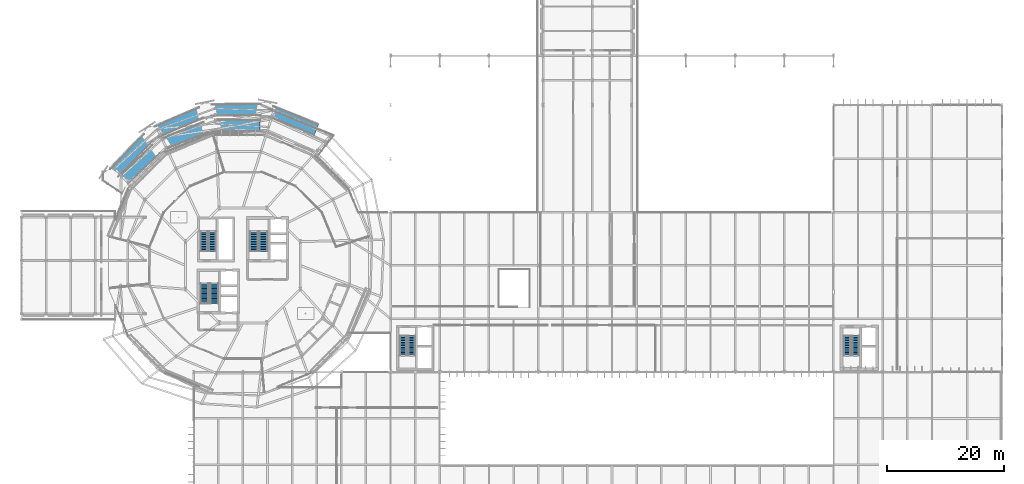
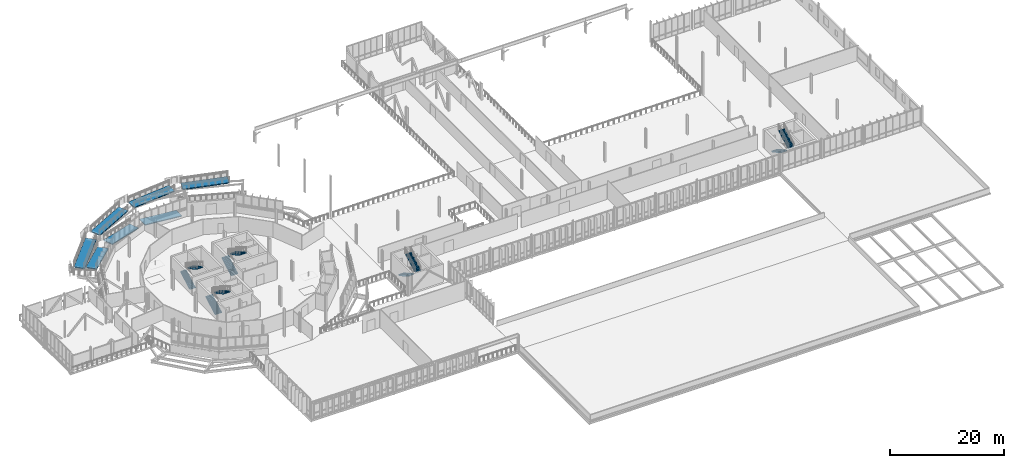
# One storey, part 93 of 107: 10 stair flights, 7 ramp flights, 6 elements without a shape of their own.
"""IFC4 building model written with IfcOpenShell, lengths in metres."""

from ifc_helpers import new_model, si_unit, derived_unit, direction, frame, origin, place, context, subcontext, project, spatial, polyline, outline, extrude, material, layer, layer_set, type_object, element, aggregate, save


model = new_model("IFC4")

# Units and contexts
model_context = context("Model", 3, precision=1e-05, world=origin(), true_north=direction((0.0, 1.0)))
body_context = subcontext(model_context, "Body", "Model", "MODEL_VIEW")
ifc_project = project(units=[si_unit("LENGTHUNIT", "METRE"), si_unit("AREAUNIT", "SQUARE_METRE"), si_unit("VOLUMEUNIT", "CUBIC_METRE"), si_unit("PLANEANGLEUNIT", "RADIAN"), si_unit("MASSUNIT", "GRAM", prefix="KILO"), derived_unit("THERMALTRANSMITTANCEUNIT", [(si_unit("MASSUNIT", "GRAM", prefix="KILO"), 1), (si_unit("TIMEUNIT", "SECOND"), -3), (si_unit("THERMODYNAMICTEMPERATUREUNIT", "KELVIN"), -1)])], contexts=[model_context])

# Site, building, storey
site_placement = place(None, origin())
site = spatial("IfcSite", under=ifc_project, at=site_placement, CompositionType="ELEMENT")
building_placement = place(site_placement, origin())
building = spatial("IfcBuilding", under=site, at=building_placement, Name="Makaiwela Harbour Ferry Terminal", CompositionType="ELEMENT")
storey_placement = place(building_placement, frame((0.0, 0.0, 9.60009765625)))
storey = spatial("IfcBuildingStorey", under=building, at=storey_placement, Name="L02", CompositionType="ELEMENT", Elevation=9.60009765625)

# Stair, stair flights
ifc_material = material(Name="Concrete f'c 35 MPa (5000 psi)", Category="concrete")
stair_type_1 = type_object("IfcStairType", Name="CIR-STR-A03", PredefinedType="HALF_TURN_STAIR", material=ifc_material)
stair_1_placement = place(storey_placement, origin())
stair_1 = element("IfcStair", 1, at=stair_1_placement, inside=storey, type_object=stair_type_1, Name="Stair ST-01-L02", PredefinedType="HALF_TURN_STAIR")
stair_flight_type_1 = type_object("IfcStairFlightType", Name="CIR-FLT-F03", PredefinedType="STRAIGHT", material=ifc_material)
stair_flight_1_placement = place(storey_placement, frame((39.657958984375, 70.0, 0.0), z_axis=(0.0, 0.0, 1.0), x_axis=(0.0, 1.0, 0.0)))
stair_flight_1 = element("IfcStairFlight", 2, at=stair_flight_1_placement, type_object=stair_flight_type_1, Name="Stair Flight ST-01-L02-F1", NumberOfRisers=13, NumberOfTreads=12, PredefinedType="STRAIGHT", RiserHeight=0.161538, TreadLength=0.285, context=body_context, shape_type="SweptSolid", body=[
    extrude(outline(polyline([(0.0, 0.0), (0.0, 0.16162109375), (0.284912109375, 0.16162109375), (0.284912109375, 0.322998046875), (0.570068359375, 0.322998046875), (0.570068359375, 0.484619140625), (0.85498046875, 0.484619140625), (0.85498046875, 0.646240234375), (1.139892578125, 0.646240234375), (1.139892578125, 0.8076171875), (1.425048828125, 0.8076171875), (1.425048828125, 0.96923828125), (1.7099609375, 0.96923828125), (1.7099609375, 1.130859375), (1.9951171875, 1.130859375), (1.9951171875, 1.292236328125), (2.280029296875, 1.292236328125), (2.280029296875, 1.453857421875), (2.56494140625, 1.453857421875), (2.56494140625, 1.615478515625), (2.85009765625, 1.615478515625), (2.85009765625, 1.77685546875), (3.135009765625, 1.77685546875), (3.135009765625, 1.9384765625), (3.419921875, 1.9384765625), (3.419921875, 2.10009765625), (3.419921875, 1.731689453125), (0.364990234375, 0.0), (0.0, 0.0)])), frame((0.0, 0.697998046875, 0.0), z_axis=(0.0, -1.0, 0.0), x_axis=(1.0, 0.0, 0.0)), (0.0, 0.0, 1.0), 1.39599609375),
])
stair_flight_2_placement = place(storey_placement, frame((41.333984375, 73.419921875, 2.099853515625), z_axis=(0.0, 0.0, 1.0), x_axis=(0.0, -1.0, 0.0)))
stair_flight_2 = element("IfcStairFlight", 3, at=stair_flight_2_placement, type_object=stair_flight_type_1, Name="Stair Flight ST-01-L02-F2", NumberOfRisers=13, NumberOfTreads=12, PredefinedType="STRAIGHT", RiserHeight=0.161538, TreadLength=0.285, context=body_context, shape_type="SweptSolid", body=[
    extrude(outline(polyline([(0.0, 0.0), (0.0, 0.16162109375), (0.284912109375, 0.16162109375), (0.284912109375, 0.322998046875), (0.570068359375, 0.322998046875), (0.570068359375, 0.484619140625), (0.85498046875, 0.484619140625), (0.85498046875, 0.646240234375), (1.139892578125, 0.646240234375), (1.139892578125, 0.8076171875), (1.425048828125, 0.8076171875), (1.425048828125, 0.96923828125), (1.7099609375, 0.96923828125), (1.7099609375, 1.130859375), (1.9951171875, 1.130859375), (1.9951171875, 1.292236328125), (2.280029296875, 1.292236328125), (2.280029296875, 1.453857421875), (2.56494140625, 1.453857421875), (2.56494140625, 1.615478515625), (2.85009765625, 1.615478515625), (2.85009765625, 1.77685546875), (3.135009765625, 1.77685546875), (3.135009765625, 1.9384765625), (3.419921875, 1.9384765625), (3.419921875, 2.10009765625), (3.419921875, 1.731689453125), (0.364990234375, 0.0), (0.0, 0.0)])), frame((0.0, 0.697998046875, 0.0), z_axis=(0.0, -1.0, 0.0), x_axis=(1.0, 0.0, 0.0)), (0.0, 0.0, 1.0), 1.39599609375),
])
aggregate(stair_1, [stair_flight_1, stair_flight_2])

stair_2_placement = place(storey_placement, origin())
stair_2 = element("IfcStair", 4, at=stair_2_placement, inside=storey, type_object=stair_type_1, Name="Stair ST-02-L02", PredefinedType="HALF_TURN_STAIR")
stair_flight_3_placement = place(storey_placement, frame((31.258056640625, 61.10009765625, 0.0), z_axis=(0.0, 0.0, 1.0), x_axis=(0.0, 1.0, 0.0)))
stair_flight_3 = element("IfcStairFlight", 5, at=stair_flight_3_placement, type_object=stair_flight_type_1, Name="Stair Flight ST-02-L02-F1", NumberOfRisers=13, NumberOfTreads=12, PredefinedType="STRAIGHT", RiserHeight=0.161538, TreadLength=0.285, context=body_context, shape_type="SweptSolid", body=[
    extrude(outline(polyline([(0.0, 0.0), (0.0, 0.16162109375), (0.284912109375, 0.16162109375), (0.284912109375, 0.322998046875), (0.570068359375, 0.322998046875), (0.570068359375, 0.484619140625), (0.85498046875, 0.484619140625), (0.85498046875, 0.646240234375), (1.139892578125, 0.646240234375), (1.139892578125, 0.8076171875), (1.425048828125, 0.8076171875), (1.425048828125, 0.96923828125), (1.7099609375, 0.96923828125), (1.7099609375, 1.130859375), (1.9951171875, 1.130859375), (1.9951171875, 1.292236328125), (2.280029296875, 1.292236328125), (2.280029296875, 1.453857421875), (2.56494140625, 1.453857421875), (2.56494140625, 1.615478515625), (2.85009765625, 1.615478515625), (2.85009765625, 1.77685546875), (3.135009765625, 1.77685546875), (3.135009765625, 1.9384765625), (3.419921875, 1.9384765625), (3.419921875, 2.10009765625), (3.419921875, 1.731689453125), (0.364990234375, 0.0), (0.0, 0.0)])), frame((0.0, 0.697998046875, 0.0), z_axis=(0.0, -1.0, 0.0), x_axis=(1.0, 0.0, 0.0)), (0.0, 0.0, 1.0), 1.39599609375),
])
stair_flight_4_placement = place(storey_placement, frame((32.93408203125, 64.52001953125, 2.099853515625), z_axis=(0.0, 0.0, 1.0), x_axis=(0.0, -1.0, 0.0)))
stair_flight_4 = element("IfcStairFlight", 6, at=stair_flight_4_placement, type_object=stair_flight_type_1, Name="Stair Flight ST-02-L02-F2", NumberOfRisers=13, NumberOfTreads=12, PredefinedType="STRAIGHT", RiserHeight=0.161538, TreadLength=0.285, context=body_context, shape_type="SweptSolid", body=[
    extrude(outline(polyline([(0.0, 0.0), (0.0, 0.16162109375), (0.284912109375, 0.16162109375), (0.284912109375, 0.322998046875), (0.570068359375, 0.322998046875), (0.570068359375, 0.484619140625), (0.85498046875, 0.484619140625), (0.85498046875, 0.646240234375), (1.139892578125, 0.646240234375), (1.139892578125, 0.8076171875), (1.425048828125, 0.8076171875), (1.425048828125, 0.96923828125), (1.7099609375, 0.96923828125), (1.7099609375, 1.130859375), (1.9951171875, 1.130859375), (1.9951171875, 1.292236328125), (2.280029296875, 1.292236328125), (2.280029296875, 1.453857421875), (2.56494140625, 1.453857421875), (2.56494140625, 1.615478515625), (2.85009765625, 1.615478515625), (2.85009765625, 1.77685546875), (3.135009765625, 1.77685546875), (3.135009765625, 1.9384765625), (3.419921875, 1.9384765625), (3.419921875, 2.10009765625), (3.419921875, 1.731689453125), (0.364990234375, 0.0), (0.0, 0.0)])), frame((0.0, 0.697998046875, 0.0), z_axis=(0.0, -1.0, 0.0), x_axis=(1.0, 0.0, 0.0)), (0.0, 0.0, 1.0), 1.39599609375),
])
aggregate(stair_2, [stair_flight_3, stair_flight_4])

stair_type_2 = type_object("IfcStairType", Name="CIR-STR-A07", PredefinedType="HALF_TURN_STAIR", material=ifc_material)
stair_3_placement = place(storey_placement, origin())
stair_3 = element("IfcStair", 7, at=stair_3_placement, inside=storey, type_object=stair_type_2, Name="Stair ST-03-L02", PredefinedType="HALF_TURN_STAIR")
stair_flight_type_2 = type_object("IfcStairFlightType", Name="CIR-FLT-F07", PredefinedType="STRAIGHT", material=ifc_material)
stair_flight_5_placement = place(storey_placement, frame((31.14990234375, 70.0, 0.0), z_axis=(0.0, 0.0, 1.0), x_axis=(0.0, 1.0, 0.0)))
stair_flight_5 = element("IfcStairFlight", 8, at=stair_flight_5_placement, type_object=stair_flight_type_2, Name="Stair Flight ST-03-L02-F1", NumberOfRisers=13, NumberOfTreads=12, PredefinedType="STRAIGHT", RiserHeight=0.161538, TreadLength=0.285, context=body_context, shape_type="SweptSolid", body=[
    extrude(outline(polyline([(0.0, 0.0), (0.0, 0.16162109375), (0.284912109375, 0.16162109375), (0.284912109375, 0.322998046875), (0.570068359375, 0.322998046875), (0.570068359375, 0.484619140625), (0.85498046875, 0.484619140625), (0.85498046875, 0.646240234375), (1.139892578125, 0.646240234375), (1.139892578125, 0.8076171875), (1.425048828125, 0.8076171875), (1.425048828125, 0.96923828125), (1.7099609375, 0.96923828125), (1.7099609375, 1.130859375), (1.9951171875, 1.130859375), (1.9951171875, 1.292236328125), (2.280029296875, 1.292236328125), (2.280029296875, 1.453857421875), (2.56494140625, 1.453857421875), (2.56494140625, 1.615478515625), (2.85009765625, 1.615478515625), (2.85009765625, 1.77685546875), (3.135009765625, 1.77685546875), (3.135009765625, 1.9384765625), (3.419921875, 1.9384765625), (3.419921875, 2.10009765625), (3.419921875, 1.731689453125), (0.364990234375, 0.0), (0.0, 0.0)])), frame((0.0, 0.58984375, 0.0), z_axis=(0.0, -1.0, 0.0), x_axis=(1.0, 0.0, 0.0)), (0.0, 0.0, 1.0), 1.179931640625),
])
stair_flight_6_placement = place(storey_placement, frame((32.610107421875, 73.419921875, 2.099853515625), z_axis=(0.0, 0.0, 1.0), x_axis=(0.0, -1.0, 0.0)))
stair_flight_6 = element("IfcStairFlight", 9, at=stair_flight_6_placement, type_object=stair_flight_type_2, Name="Stair Flight ST-03-L02-F2", NumberOfRisers=13, NumberOfTreads=12, PredefinedType="STRAIGHT", RiserHeight=0.161538, TreadLength=0.285, context=body_context, shape_type="SweptSolid", body=[
    extrude(outline(polyline([(0.0, 0.0), (0.0, 0.16162109375), (0.284912109375, 0.16162109375), (0.284912109375, 0.322998046875), (0.570068359375, 0.322998046875), (0.570068359375, 0.484619140625), (0.85498046875, 0.484619140625), (0.85498046875, 0.646240234375), (1.139892578125, 0.646240234375), (1.139892578125, 0.8076171875), (1.425048828125, 0.8076171875), (1.425048828125, 0.96923828125), (1.7099609375, 0.96923828125), (1.7099609375, 1.130859375), (1.9951171875, 1.130859375), (1.9951171875, 1.292236328125), (2.280029296875, 1.292236328125), (2.280029296875, 1.453857421875), (2.56494140625, 1.453857421875), (2.56494140625, 1.615478515625), (2.85009765625, 1.615478515625), (2.85009765625, 1.77685546875), (3.135009765625, 1.77685546875), (3.135009765625, 1.9384765625), (3.419921875, 1.9384765625), (3.419921875, 2.10009765625), (3.419921875, 1.731689453125), (0.364990234375, 0.0), (0.0, 0.0)])), frame((0.0, 0.58984375, 0.0), z_axis=(0.0, -1.0, 0.0), x_axis=(1.0, 0.0, 0.0)), (0.0, 0.0, 1.0), 1.179931640625),
])
aggregate(stair_3, [stair_flight_5, stair_flight_6])

stair_4_placement = place(storey_placement, origin())
stair_4 = element("IfcStair", 10, at=stair_4_placement, inside=storey, type_object=stair_type_2, Name="Stair ST-04-L02", PredefinedType="HALF_TURN_STAIR")
stair_flight_7_placement = place(storey_placement, frame((65.14990234375, 55.60009765625, 0.0), z_axis=(0.0, 0.0, 1.0), x_axis=(0.0, -1.0, 0.0)))
stair_flight_7 = element("IfcStairFlight", 11, at=stair_flight_7_placement, type_object=stair_flight_type_2, Name="Stair Flight ST-04-L02-F1", NumberOfRisers=13, NumberOfTreads=12, PredefinedType="STRAIGHT", RiserHeight=0.161538, TreadLength=0.285, context=body_context, shape_type="SweptSolid", body=[
    extrude(outline(polyline([(0.0, 0.0), (0.0, 0.16162109375), (0.284912109375, 0.16162109375), (0.284912109375, 0.322998046875), (0.570068359375, 0.322998046875), (0.570068359375, 0.484619140625), (0.85498046875, 0.484619140625), (0.85498046875, 0.646240234375), (1.139892578125, 0.646240234375), (1.139892578125, 0.8076171875), (1.425048828125, 0.8076171875), (1.425048828125, 0.96923828125), (1.7099609375, 0.96923828125), (1.7099609375, 1.130859375), (1.9951171875, 1.130859375), (1.9951171875, 1.292236328125), (2.280029296875, 1.292236328125), (2.280029296875, 1.453857421875), (2.56494140625, 1.453857421875), (2.56494140625, 1.615478515625), (2.85009765625, 1.615478515625), (2.85009765625, 1.77685546875), (3.135009765625, 1.77685546875), (3.135009765625, 1.9384765625), (3.419921875, 1.9384765625), (3.419921875, 2.10009765625), (3.419921875, 1.731689453125), (0.364990234375, 0.0), (0.0, 0.0)])), frame((0.0, 0.58984375, 0.0), z_axis=(0.0, -1.0, 0.0), x_axis=(1.0, 0.0, 0.0)), (0.0, 0.0, 1.0), 1.179931640625),
])
stair_flight_8_placement = place(storey_placement, frame((66.610107421875, 52.179931640625, 2.099853515625), z_axis=(0.0, 0.0, 1.0), x_axis=(0.0, 1.0, 0.0)))
stair_flight_8 = element("IfcStairFlight", 12, at=stair_flight_8_placement, type_object=stair_flight_type_2, Name="Stair Flight ST-04-L02-F2", NumberOfRisers=13, NumberOfTreads=12, PredefinedType="STRAIGHT", RiserHeight=0.161538, TreadLength=0.285, context=body_context, shape_type="SweptSolid", body=[
    extrude(outline(polyline([(0.0, 0.0), (0.0, 0.16162109375), (0.284912109375, 0.16162109375), (0.284912109375, 0.322998046875), (0.570068359375, 0.322998046875), (0.570068359375, 0.484619140625), (0.85498046875, 0.484619140625), (0.85498046875, 0.646240234375), (1.139892578125, 0.646240234375), (1.139892578125, 0.8076171875), (1.425048828125, 0.8076171875), (1.425048828125, 0.96923828125), (1.7099609375, 0.96923828125), (1.7099609375, 1.130859375), (1.9951171875, 1.130859375), (1.9951171875, 1.292236328125), (2.280029296875, 1.292236328125), (2.280029296875, 1.453857421875), (2.56494140625, 1.453857421875), (2.56494140625, 1.615478515625), (2.85009765625, 1.615478515625), (2.85009765625, 1.77685546875), (3.135009765625, 1.77685546875), (3.135009765625, 1.9384765625), (3.419921875, 1.9384765625), (3.419921875, 2.10009765625), (3.419921875, 1.731689453125), (0.364990234375, 0.0), (0.0, 0.0)])), frame((0.0, 0.58984375, 0.0), z_axis=(0.0, -1.0, 0.0), x_axis=(1.0, 0.0, 0.0)), (0.0, 0.0, 1.0), 1.179931640625),
])
aggregate(stair_4, [stair_flight_7, stair_flight_8])

stair_5_placement = place(storey_placement, origin())
stair_5 = element("IfcStair", 13, at=stair_5_placement, inside=storey, type_object=stair_type_2, Name="Stair ST-05-L02", PredefinedType="HALF_TURN_STAIR")
stair_flight_9_placement = place(storey_placement, frame((140.949951171875, 55.60009765625, 0.0), z_axis=(0.0, 0.0, 1.0), x_axis=(0.0, -1.0, 0.0)))
stair_flight_9 = element("IfcStairFlight", 14, at=stair_flight_9_placement, type_object=stair_flight_type_2, Name="Stair Flight ST-05-L02-F1", NumberOfRisers=13, NumberOfTreads=12, PredefinedType="STRAIGHT", RiserHeight=0.161538, TreadLength=0.285, context=body_context, shape_type="SweptSolid", body=[
    extrude(outline(polyline([(0.0, 0.0), (0.0, 0.16162109375), (0.284912109375, 0.16162109375), (0.284912109375, 0.322998046875), (0.570068359375, 0.322998046875), (0.570068359375, 0.484619140625), (0.85498046875, 0.484619140625), (0.85498046875, 0.646240234375), (1.139892578125, 0.646240234375), (1.139892578125, 0.8076171875), (1.425048828125, 0.8076171875), (1.425048828125, 0.96923828125), (1.7099609375, 0.96923828125), (1.7099609375, 1.130859375), (1.9951171875, 1.130859375), (1.9951171875, 1.292236328125), (2.280029296875, 1.292236328125), (2.280029296875, 1.453857421875), (2.56494140625, 1.453857421875), (2.56494140625, 1.615478515625), (2.85009765625, 1.615478515625), (2.85009765625, 1.77685546875), (3.135009765625, 1.77685546875), (3.135009765625, 1.9384765625), (3.419921875, 1.9384765625), (3.419921875, 2.10009765625), (3.419921875, 1.731689453125), (0.364990234375, 0.0), (0.0, 0.0)])), frame((0.0, 0.58984375, 0.0), z_axis=(0.0, -1.0, 0.0), x_axis=(1.0, 0.0, 0.0)), (0.0, 0.0, 1.0), 1.179931640625),
])
stair_flight_10_placement = place(storey_placement, frame((142.409912109375, 52.179931640625, 2.099853515625), z_axis=(0.0, 0.0, 1.0), x_axis=(0.0, 1.0, 0.0)))
stair_flight_10 = element("IfcStairFlight", 15, at=stair_flight_10_placement, type_object=stair_flight_type_2, Name="Stair Flight ST-05-L02-F2", NumberOfRisers=13, NumberOfTreads=12, PredefinedType="STRAIGHT", RiserHeight=0.161538, TreadLength=0.285, context=body_context, shape_type="SweptSolid", body=[
    extrude(outline(polyline([(0.0, 0.0), (0.0, 0.16162109375), (0.284912109375, 0.16162109375), (0.284912109375, 0.322998046875), (0.570068359375, 0.322998046875), (0.570068359375, 0.484619140625), (0.85498046875, 0.484619140625), (0.85498046875, 0.646240234375), (1.139892578125, 0.646240234375), (1.139892578125, 0.8076171875), (1.425048828125, 0.8076171875), (1.425048828125, 0.96923828125), (1.7099609375, 0.96923828125), (1.7099609375, 1.130859375), (1.9951171875, 1.130859375), (1.9951171875, 1.292236328125), (2.280029296875, 1.292236328125), (2.280029296875, 1.453857421875), (2.56494140625, 1.453857421875), (2.56494140625, 1.615478515625), (2.85009765625, 1.615478515625), (2.85009765625, 1.77685546875), (3.135009765625, 1.77685546875), (3.135009765625, 1.9384765625), (3.419921875, 1.9384765625), (3.419921875, 2.10009765625), (3.419921875, 1.731689453125), (0.364990234375, 0.0), (0.0, 0.0)])), frame((0.0, 0.58984375, 0.0), z_axis=(0.0, -1.0, 0.0), x_axis=(1.0, 0.0, 0.0)), (0.0, 0.0, 1.0), 1.179931640625),
])
aggregate(stair_5, [stair_flight_9, stair_flight_10])

# Ramp, ramp flights
ramp_type = type_object("IfcRampType", Name="CIR-RMP-ASSY", PredefinedType="STRAIGHT_RUN_RAMP", material=ifc_material)
ramp_placement = place(storey_placement, origin())
ramp = element("IfcRamp", 16, at=ramp_placement, inside=storey, type_object=ramp_type, Name="External Coiled Promenade Ramp L02 to L03", PredefinedType="STRAIGHT_RUN_RAMP")
ifc_layer = layer(ifc_material, 0.179931640625)
ifc_layer_set = layer_set([ifc_layer], Name="Concrete f'c 35 MPa (5000 psi)")
ramp_flight_type = type_object("IfcRampFlightType", Name="CIR-RMP-FLT", PredefinedType="STRAIGHT", material=ifc_layer_set)
ramp_flight_1_placement = place(storey_placement, frame((40.7294921875, 91.397216796875, 0.0), z_axis=(0.0, 0.0, 1.0), x_axis=(-0.999901301772, 0.014049438242, 0.0)))
ramp_flight_1 = element("IfcRampFlight", 17, at=ramp_flight_1_placement, type_object=ramp_flight_type, Name="Ramp Flight L02-FI1", PredefinedType="STRAIGHT", context=body_context, shape_type="SweptSolid", body=[
    extrude(outline(polyline([(0.0, 0.0), (7.447998046875, 0.60009765625), (7.447998046875, 0.419677734375), (0.0, -0.180419921875), (0.0, 0.0)])), frame((0.0, 1.0, 0.0), z_axis=(0.0, -1.0, 0.0), x_axis=(1.0, 0.0, 0.0)), (0.0, 0.0, 1.0), 2.0),
])
ramp_flight_2_placement = place(storey_placement, frame((31.44873046875, 91.166259765625, 0.599853515625), z_axis=(0.0, 0.0, 1.0), x_axis=(-0.93009738109, -0.367313029567, 0.0)))
ramp_flight_2 = element("IfcRampFlight", 18, at=ramp_flight_2_placement, type_object=ramp_flight_type, Name="Ramp Flight L02-FI2", PredefinedType="STRAIGHT", context=body_context, shape_type="SweptSolid", body=[
    extrude(outline(polyline([(0.0, 0.0), (7.45849609375, 0.60009765625), (7.45849609375, 0.419677734375), (0.0, -0.180419921875), (0.0, 0.0)])), frame((0.0, 1.0, 0.0), z_axis=(0.0, -1.0, 0.0), x_axis=(1.0, 0.0, 0.0)), (0.0, 0.0, 1.0), 2.0),
])
ramp_flight_3_placement = place(storey_placement, frame((22.944580078125, 87.41796875, 1.199951171875), z_axis=(0.0, 0.0, 1.0), x_axis=(-0.71967918855, -0.694306751781, 0.0)))
ramp_flight_3 = element("IfcRampFlight", 19, at=ramp_flight_3_placement, type_object=ramp_flight_type, Name="Ramp Flight L02-FI3", PredefinedType="STRAIGHT", context=body_context, shape_type="SweptSolid", body=[
    extrude(outline(polyline([(0.0, 0.0), (7.461181640625, 0.60009765625), (7.461181640625, 0.419677734375), (0.0, -0.180419921875), (0.0, 0.0)])), frame((0.0, 1.0, 0.0), z_axis=(0.0, -1.0, 0.0), x_axis=(1.0, 0.0, 0.0)), (0.0, 0.0, 1.0), 2.0),
])
ramp_flight_4_placement = place(storey_placement, frame((15.8388671875, 83.4052734375, 1.7998046875), z_axis=(0.0, 0.0, 1.0), x_axis=(0.695323480107, 0.718696916657, 0.0)))
ramp_flight_4 = element("IfcRampFlight", 20, at=ramp_flight_4_placement, type_object=ramp_flight_type, Name="Ramp Flight L02-FO1", PredefinedType="STRAIGHT", context=body_context, shape_type="SweptSolid", body=[
    extrude(outline(polyline([(0.0, 0.0), (8.263916015625, 0.60009765625), (8.263916015625, 0.419677734375), (0.0, -0.180419921875), (0.0, 0.0)])), frame((0.0, 1.0, 0.0), z_axis=(0.0, -1.0, 0.0), x_axis=(1.0, 0.0, 0.0)), (0.0, 0.0, 1.0), 2.0),
])
ramp_flight_5_placement = place(storey_placement, frame((23.11767578125, 90.404052734375, 2.39990234375), z_axis=(0.0, 0.0, 1.0), x_axis=(0.91794167531, 0.396715364876, 0.0)))
ramp_flight_5 = element("IfcRampFlight", 21, at=ramp_flight_5_placement, type_object=ramp_flight_type, Name="Ramp Flight L02-FO2", PredefinedType="STRAIGHT", context=body_context, shape_type="SweptSolid", body=[
    extrude(outline(polyline([(0.0, 0.0), (8.2666015625, 0.60009765625), (8.2666015625, 0.419677734375), (0.0, -0.180419921875), (0.0, 0.0)])), frame((0.0, 1.0, 0.0), z_axis=(0.0, -1.0, 0.0), x_axis=(1.0, 0.0, 0.0)), (0.0, 0.0, 1.0), 2.0),
])
ramp_flight_6_placement = place(storey_placement, frame((32.52783203125, 94.07275390625, 3.0), z_axis=(0.0, 0.0, 1.0), x_axis=(0.999916822168, 0.012897625561, 0.0)))
ramp_flight_6 = element("IfcRampFlight", 22, at=ramp_flight_6_placement, type_object=ramp_flight_type, Name="Ramp Flight L02-FO3", PredefinedType="STRAIGHT", context=body_context, shape_type="SweptSolid", body=[
    extrude(outline(polyline([(0.0, 0.0), (8.276123046875, 0.60009765625), (8.276123046875, 0.419677734375), (0.0, -0.180419921875), (0.0, 0.0)])), frame((0.0, 1.0, 0.0), z_axis=(0.0, -1.0, 0.0), x_axis=(1.0, 0.0, 0.0)), (0.0, 0.0, 1.0), 2.0),
])
ramp_flight_7_placement = place(storey_placement, frame((42.63427734375, 93.8369140625, 3.599853515625), z_axis=(0.0, 0.0, 1.0), x_axis=(0.927601715631, -0.373570685624, 0.0)))
ramp_flight_7 = element("IfcRampFlight", 23, at=ramp_flight_7_placement, type_object=ramp_flight_type, Name="Ramp Flight L02-FO4", PredefinedType="STRAIGHT", context=body_context, shape_type="SweptSolid", body=[
    extrude(outline(polyline([(0.0, 0.0), (8.296630859375, 0.60009765625), (8.296630859375, 0.419677734375), (0.0, -0.180419921875), (0.0, 0.0)])), frame((0.0, 1.0, 0.0), z_axis=(0.0, -1.0, 0.0), x_axis=(1.0, 0.0, 0.0)), (0.0, 0.0, 1.0), 2.0),
])
aggregate(ramp, [ramp_flight_1, ramp_flight_2, ramp_flight_3, ramp_flight_4, ramp_flight_5, ramp_flight_6, ramp_flight_7])

save(model, "model.ifc")
